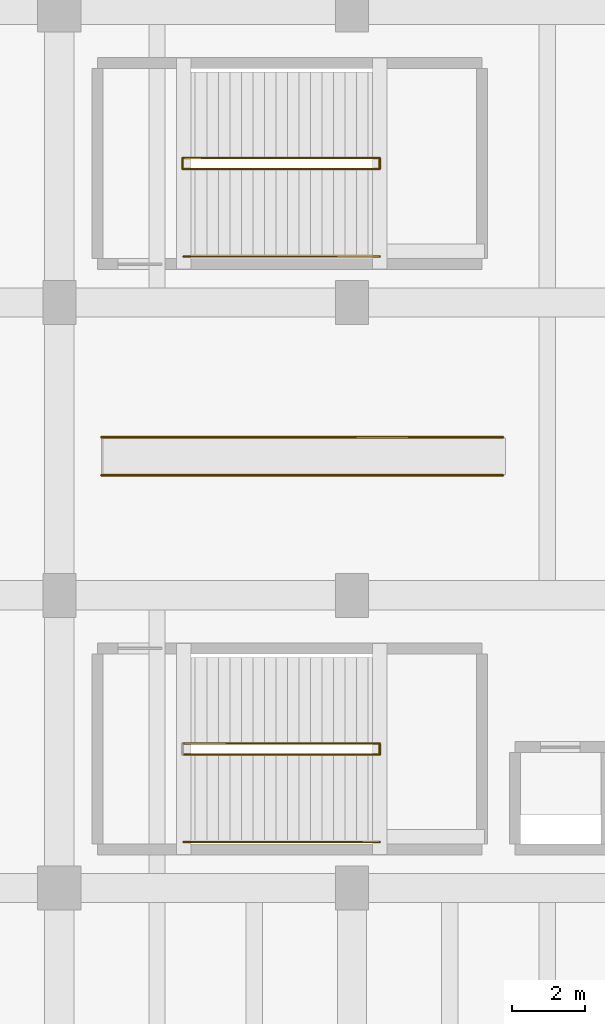
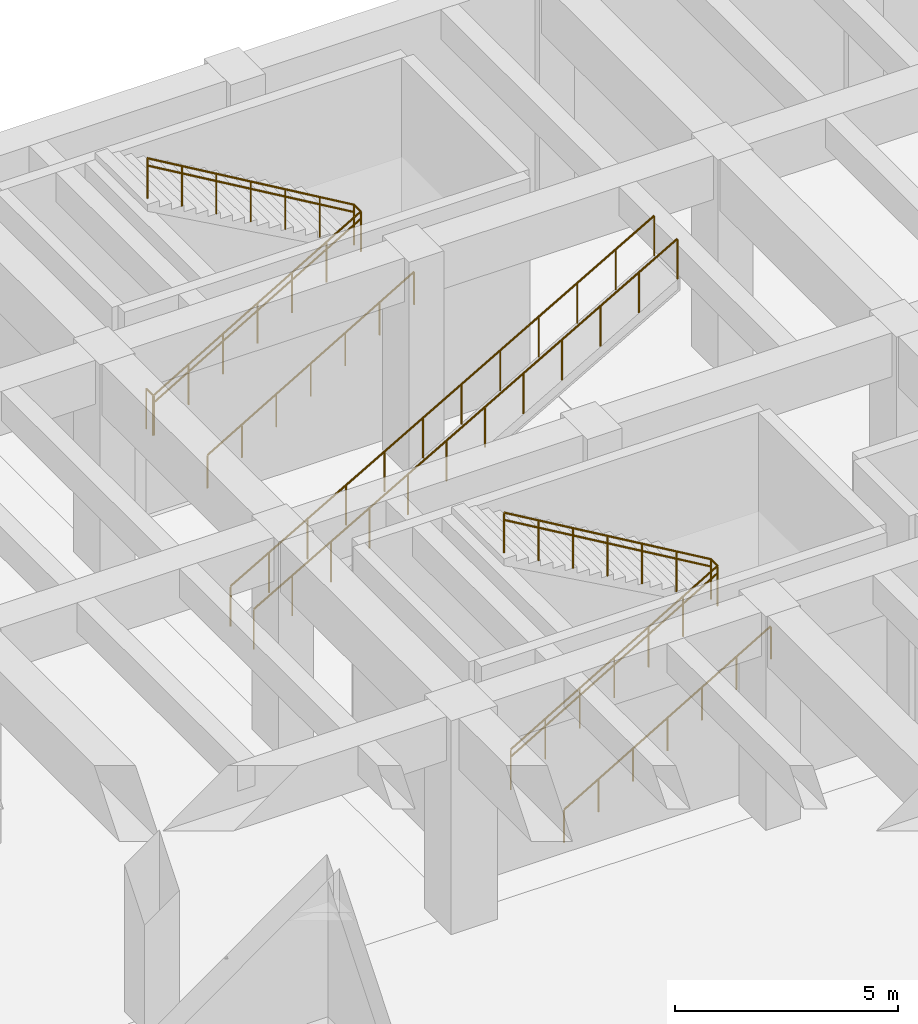
# One storey, part 17 of 24: 13 railings.
"""IFC4 building model written with IfcOpenShell, lengths in metres."""

from ifc_helpers import new_model, si_unit, direction, frame, origin, origin_2d, place, context, subcontext, project, spatial, circle, extrude, material, type_object, element, save


model = new_model("IFC4")

# Units and contexts
model_context = context("Model", 3, precision=1e-05, world=origin(), true_north=direction((0.0, 1.0)))
body_context = subcontext(model_context, "Body", "Model", "MODEL_VIEW")
ifc_project = project(units=[si_unit("LENGTHUNIT", "METRE"), si_unit("AREAUNIT", "SQUARE_METRE"), si_unit("VOLUMEUNIT", "CUBIC_METRE"), si_unit("PLANEANGLEUNIT", "RADIAN"), si_unit("MASSUNIT", "GRAM", prefix="KILO")], contexts=[model_context])

# Site, building, storey
site_placement = place(None, origin())
site = spatial("IfcSite", under=ifc_project, at=site_placement, CompositionType="ELEMENT")
building_placement = place(site_placement, origin())
building = spatial("IfcBuilding", under=site, at=building_placement, Name="Varnela Railside Interchange", CompositionType="ELEMENT")
storey_placement = place(building_placement, frame((0.0, 0.0, -6.300048828125)))
storey = spatial("IfcBuildingStorey", under=building, at=storey_placement, Name="B1", CompositionType="ELEMENT", Elevation=-6.300048828125)

# Railings
ifc_material_1 = material(Name="Glass laminated double", Category="glass")
railing_type_1 = type_object("IfcRailingType", Name="Concourse Atrium Balustrade BL-01", PredefinedType="BALUSTRADE", material=ifc_material_1)
railing_1_placement = place(storey_placement, frame((53.14990234375, 49.280029296875, 0.0)))
element("IfcRailing", 1, at=railing_1_placement, inside=storey, type_object=railing_type_1, Name="Escalator Inclined Balustrade ES4-S (RL-0126)", PredefinedType="BALUSTRADE", context=body_context, shape_type="SweptSolid", body=[
    extrude(circle(Radius=0.02392578125, at=origin_2d()), frame((0.0, 0.0, 1.09619140625), z_axis=(0.867173461285, 0.0, 0.498006212856), x_axis=(0.0, 1.0, 0.0)), (0.0, 0.0, 1.0), 12.650634765625),
    extrude(circle(Radius=0.02099609375, at=origin_2d()), origin(), (0.0, 0.0, 1.0), 1.072021484375),
    extrude(circle(Radius=0.02099609375, at=origin_2d()), frame((0.997314453125, 0.0, 0.57275390625)), (0.0, 0.0, 1.0), 1.072021484375),
    extrude(circle(Radius=0.02099609375, at=origin_2d()), frame((1.99462890625, 0.0, 1.1455078125)), (0.0, 0.0, 1.0), 1.072021484375),
    extrude(circle(Radius=0.02099609375, at=origin_2d()), frame((2.991943359375, 0.0, 1.71826171875)), (0.0, 0.0, 1.0), 1.072021484375),
    extrude(circle(Radius=0.02099609375, at=origin_2d()), frame((3.9892578125, 0.0, 2.291015625)), (0.0, 0.0, 1.0), 1.072021484375),
    extrude(circle(Radius=0.02099609375, at=origin_2d()), frame((4.986572265625, 0.0, 2.86376953125)), (0.0, 0.0, 1.0), 1.072021484375),
    extrude(circle(Radius=0.02099609375, at=origin_2d()), frame((5.983642578125, 0.0, 3.436279296875)), (0.0, 0.0, 1.0), 1.072021484375),
    extrude(circle(Radius=0.02099609375, at=origin_2d()), frame((6.98095703125, 0.0, 4.009033203125)), (0.0, 0.0, 1.0), 1.072021484375),
    extrude(circle(Radius=0.02099609375, at=origin_2d()), frame((7.978271484375, 0.0, 4.581787109375)), (0.0, 0.0, 1.0), 1.072021484375),
    extrude(circle(Radius=0.02099609375, at=origin_2d()), frame((8.9755859375, 0.0, 5.154541015625)), (0.0, 0.0, 1.0), 1.072021484375),
    extrude(circle(Radius=0.02099609375, at=origin_2d()), frame((9.972900390625, 0.0, 5.727294921875)), (0.0, 0.0, 1.0), 1.072021484375),
    extrude(circle(Radius=0.02099609375, at=origin_2d()), frame((10.97021484375, 0.0, 6.300048828125)), (0.0, 0.0, 1.0), 1.072021484375),
])
railing_2_placement = place(storey_placement, frame((53.14990234375, 50.320068359375, 0.0)))
element("IfcRailing", 2, at=railing_2_placement, inside=storey, type_object=railing_type_1, Name="Escalator Inclined Balustrade ES4-N (RL-0125)", PredefinedType="BALUSTRADE", context=body_context, shape_type="SweptSolid", body=[
    extrude(circle(Radius=0.02392578125, at=origin_2d()), frame((0.0, 0.0, 1.09619140625), z_axis=(0.867173461285, 0.0, 0.498006212856), x_axis=(0.0, 1.0, 0.0)), (0.0, 0.0, 1.0), 12.650634765625),
    extrude(circle(Radius=0.02099609375, at=origin_2d()), origin(), (0.0, 0.0, 1.0), 1.072021484375),
    extrude(circle(Radius=0.02099609375, at=origin_2d()), frame((0.997314453125, 0.0, 0.57275390625)), (0.0, 0.0, 1.0), 1.072021484375),
    extrude(circle(Radius=0.02099609375, at=origin_2d()), frame((1.99462890625, 0.0, 1.1455078125)), (0.0, 0.0, 1.0), 1.072021484375),
    extrude(circle(Radius=0.02099609375, at=origin_2d()), frame((2.991943359375, 0.0, 1.71826171875)), (0.0, 0.0, 1.0), 1.072021484375),
    extrude(circle(Radius=0.02099609375, at=origin_2d()), frame((3.9892578125, 0.0, 2.291015625)), (0.0, 0.0, 1.0), 1.072021484375),
    extrude(circle(Radius=0.02099609375, at=origin_2d()), frame((4.986572265625, 0.0, 2.86376953125)), (0.0, 0.0, 1.0), 1.072021484375),
    extrude(circle(Radius=0.02099609375, at=origin_2d()), frame((5.983642578125, 0.0, 3.436279296875)), (0.0, 0.0, 1.0), 1.072021484375),
    extrude(circle(Radius=0.02099609375, at=origin_2d()), frame((6.98095703125, 0.0, 4.009033203125)), (0.0, 0.0, 1.0), 1.072021484375),
    extrude(circle(Radius=0.02099609375, at=origin_2d()), frame((7.978271484375, 0.0, 4.581787109375)), (0.0, 0.0, 1.0), 1.072021484375),
    extrude(circle(Radius=0.02099609375, at=origin_2d()), frame((8.9755859375, 0.0, 5.154541015625)), (0.0, 0.0, 1.0), 1.072021484375),
    extrude(circle(Radius=0.02099609375, at=origin_2d()), frame((9.972900390625, 0.0, 5.727294921875)), (0.0, 0.0, 1.0), 1.072021484375),
    extrude(circle(Radius=0.02099609375, at=origin_2d()), frame((10.97021484375, 0.0, 6.300048828125)), (0.0, 0.0, 1.0), 1.072021484375),
])
ifc_material_2 = material(Name="Steel AR 350 (350 MPa)", Category="steel")
railing_type_2 = type_object("IfcRailingType", Name="Stair & Ramp Pitch Handrail HR-01", PredefinedType="HANDRAIL", material=ifc_material_2)
railing_3_placement = place(storey_placement, frame((55.39990234375, 41.64990234375, 0.0)))
element("IfcRailing", 3, at=railing_3_placement, inside=storey, type_object=railing_type_2, Name="Stair Handrail ST-C1 Flight 1 (RL-0131)", PredefinedType="HANDRAIL", context=body_context, shape_type="SweptSolid", body=[
    extrude(circle(Radius=0.02392578125, at=origin_2d()), frame((0.0, 0.0, 0.89599609375), z_axis=(0.861923102912, 0.0, 0.507039016908), x_axis=(0.0, 1.0, 0.0)), (0.0, 0.0, 1.0), 6.212890625),
    extrude(circle(Radius=0.02099609375, at=origin_2d()), origin(), (0.0, 0.0, 1.0), 0.871826171875),
    extrude(circle(Radius=0.02099609375, at=origin_2d()), frame((0.892578125, 0.0, 0.52490234375)), (0.0, 0.0, 1.0), 0.871826171875),
    extrude(circle(Radius=0.02099609375, at=origin_2d()), frame((1.784912109375, 0.0, 1.050048828125)), (0.0, 0.0, 1.0), 0.871826171875),
    extrude(circle(Radius=0.02099609375, at=origin_2d()), frame((2.677490234375, 0.0, 1.5751953125)), (0.0, 0.0, 1.0), 0.871826171875),
    extrude(circle(Radius=0.02099609375, at=origin_2d()), frame((3.570068359375, 0.0, 2.10009765625)), (0.0, 0.0, 1.0), 0.871826171875),
    extrude(circle(Radius=0.02099609375, at=origin_2d()), frame((4.46240234375, 0.0, 2.625)), (0.0, 0.0, 1.0), 0.871826171875),
    extrude(circle(Radius=0.02099609375, at=origin_2d()), frame((5.35498046875, 0.0, 3.150146484375)), (0.0, 0.0, 1.0), 0.871826171875),
])
railing_4_placement = place(storey_placement, frame((60.7548828125, 41.949951171875, 3.150146484375)))
element("IfcRailing", 4, at=railing_4_placement, inside=storey, type_object=railing_type_2, Name="Stair Handrail ST-C1 Flight 2 (RL-0132)", PredefinedType="HANDRAIL", context=body_context, shape_type="SweptSolid", body=[
    extrude(circle(Radius=0.02392578125, at=origin_2d()), frame((0.0, 0.0, 0.89599609375), z_axis=(-0.861940276329, 0.0, 0.507009822431), x_axis=(0.0, -1.0, 0.0)), (0.0, 0.0, 1.0), 6.212646484375),
    extrude(circle(Radius=0.02099609375, at=origin_2d()), origin(), (0.0, 0.0, 1.0), 0.871826171875),
    extrude(circle(Radius=0.02099609375, at=origin_2d()), frame((-0.892578125, 0.0, 0.52490234375)), (0.0, 0.0, 1.0), 0.871826171875),
    extrude(circle(Radius=0.02099609375, at=origin_2d()), frame((-1.784912109375, 0.0, 1.050048828125)), (0.0, 0.0, 1.0), 0.871826171875),
    extrude(circle(Radius=0.02099609375, at=origin_2d()), frame((-2.677490234375, 0.0, 1.574951171875)), (0.0, 0.0, 1.0), 0.871826171875),
    extrude(circle(Radius=0.02099609375, at=origin_2d()), frame((-3.570068359375, 0.0, 2.099853515625)), (0.0, 0.0, 1.0), 0.871826171875),
    extrude(circle(Radius=0.02099609375, at=origin_2d()), frame((-4.46240234375, 0.0, 2.625)), (0.0, 0.0, 1.0), 0.871826171875),
    extrude(circle(Radius=0.02099609375, at=origin_2d()), frame((-5.35498046875, 0.0, 3.14990234375)), (0.0, 0.0, 1.0), 0.871826171875),
])
railing_5_placement = place(storey_placement, frame((55.39990234375, 57.64990234375, 0.0)))
element("IfcRailing", 5, at=railing_5_placement, inside=storey, type_object=railing_type_2, Name="Stair Handrail ST-C3 Flight 1 (RL-0135)", PredefinedType="HANDRAIL", context=body_context, shape_type="SweptSolid", body=[
    extrude(circle(Radius=0.02392578125, at=origin_2d()), frame((0.0, 0.0, 0.89599609375), z_axis=(0.861923102912, 0.0, 0.507039016908), x_axis=(0.0, 1.0, 0.0)), (0.0, 0.0, 1.0), 6.212890625),
    extrude(circle(Radius=0.02099609375, at=origin_2d()), origin(), (0.0, 0.0, 1.0), 0.871826171875),
    extrude(circle(Radius=0.02099609375, at=origin_2d()), frame((0.892578125, 0.0, 0.52490234375)), (0.0, 0.0, 1.0), 0.871826171875),
    extrude(circle(Radius=0.02099609375, at=origin_2d()), frame((1.784912109375, 0.0, 1.050048828125)), (0.0, 0.0, 1.0), 0.871826171875),
    extrude(circle(Radius=0.02099609375, at=origin_2d()), frame((2.677490234375, 0.0, 1.5751953125)), (0.0, 0.0, 1.0), 0.871826171875),
    extrude(circle(Radius=0.02099609375, at=origin_2d()), frame((3.570068359375, 0.0, 2.10009765625)), (0.0, 0.0, 1.0), 0.871826171875),
    extrude(circle(Radius=0.02099609375, at=origin_2d()), frame((4.46240234375, 0.0, 2.625)), (0.0, 0.0, 1.0), 0.871826171875),
    extrude(circle(Radius=0.02099609375, at=origin_2d()), frame((5.35498046875, 0.0, 3.150146484375)), (0.0, 0.0, 1.0), 0.871826171875),
])
railing_6_placement = place(storey_placement, frame((60.7548828125, 57.949951171875, 3.150146484375)))
element("IfcRailing", 6, at=railing_6_placement, inside=storey, type_object=railing_type_2, Name="Stair Handrail ST-C3 Flight 2 (RL-0136)", PredefinedType="HANDRAIL", context=body_context, shape_type="SweptSolid", body=[
    extrude(circle(Radius=0.02392578125, at=origin_2d()), frame((0.0, 0.0, 0.89599609375), z_axis=(-0.861940276329, 0.0, 0.507009822431), x_axis=(0.0, -1.0, 0.0)), (0.0, 0.0, 1.0), 6.212646484375),
    extrude(circle(Radius=0.02099609375, at=origin_2d()), origin(), (0.0, 0.0, 1.0), 0.871826171875),
    extrude(circle(Radius=0.02099609375, at=origin_2d()), frame((-0.892578125, 0.0, 0.52490234375)), (0.0, 0.0, 1.0), 0.871826171875),
    extrude(circle(Radius=0.02099609375, at=origin_2d()), frame((-1.784912109375, 0.0, 1.050048828125)), (0.0, 0.0, 1.0), 0.871826171875),
    extrude(circle(Radius=0.02099609375, at=origin_2d()), frame((-2.677490234375, 0.0, 1.574951171875)), (0.0, 0.0, 1.0), 0.871826171875),
    extrude(circle(Radius=0.02099609375, at=origin_2d()), frame((-3.570068359375, 0.0, 2.099853515625)), (0.0, 0.0, 1.0), 0.871826171875),
    extrude(circle(Radius=0.02099609375, at=origin_2d()), frame((-4.46240234375, 0.0, 2.625)), (0.0, 0.0, 1.0), 0.871826171875),
    extrude(circle(Radius=0.02099609375, at=origin_2d()), frame((-5.35498046875, 0.0, 3.14990234375)), (0.0, 0.0, 1.0), 0.871826171875),
])
railing_type_3 = type_object("IfcRailingType", Name="Stair Well & Landing Guard GR-02", PredefinedType="GUARDRAIL", material=ifc_material_2)
railing_7_placement = place(storey_placement, frame((55.39990234375, 41.64990234375, 0.0)))
element("IfcRailing", 7, at=railing_7_placement, inside=storey, type_object=railing_type_3, Name="Stair Guard ST-C1 Half-Landing (RL-0080)", PredefinedType="GUARDRAIL", context=body_context, shape_type="SweptSolid", body=[
    extrude(circle(Radius=0.02392578125, at=origin_2d()), frame((0.0, 0.0, 1.09619140625), z_axis=(0.861923102912, 0.0, 0.507039016908), x_axis=(0.0, 1.0, 0.0)), (0.0, 0.0, 1.0), 6.212890625),
    extrude(circle(Radius=0.02392578125, at=origin_2d()), frame((5.35498046875, 0.0, 4.24609375), z_axis=(0.0, 1.0, 0.0), x_axis=(-1.0, 0.0, 0.0)), (0.0, 0.0, 1.0), 0.300048828125),
    extrude(circle(Radius=0.02099609375, at=origin_2d()), origin(), (0.0, 0.0, 1.0), 1.072021484375),
    extrude(circle(Radius=0.02099609375, at=origin_2d()), frame((0.892578125, 0.0, 0.52490234375)), (0.0, 0.0, 1.0), 1.072021484375),
    extrude(circle(Radius=0.02099609375, at=origin_2d()), frame((1.784912109375, 0.0, 1.050048828125)), (0.0, 0.0, 1.0), 1.072021484375),
    extrude(circle(Radius=0.02099609375, at=origin_2d()), frame((2.677490234375, 0.0, 1.5751953125)), (0.0, 0.0, 1.0), 1.072021484375),
    extrude(circle(Radius=0.02099609375, at=origin_2d()), frame((3.570068359375, 0.0, 2.10009765625)), (0.0, 0.0, 1.0), 1.072021484375),
    extrude(circle(Radius=0.02099609375, at=origin_2d()), frame((4.46240234375, 0.0, 2.625)), (0.0, 0.0, 1.0), 1.072021484375),
    extrude(circle(Radius=0.02099609375, at=origin_2d()), frame((5.35498046875, 0.0, 3.150146484375)), (0.0, 0.0, 1.0), 1.072021484375),
    extrude(circle(Radius=0.02099609375, at=origin_2d()), frame((5.35498046875, 0.300048828125, 3.150146484375)), (0.0, 0.0, 1.0), 1.072021484375),
])
railing_8_placement = place(storey_placement, frame((60.7548828125, 41.949951171875, 3.150146484375)))
element("IfcRailing", 8, at=railing_8_placement, inside=storey, type_object=railing_type_3, Name="Stair Guard ST-C1 Upper Flight (RL-0081)", PredefinedType="GUARDRAIL", context=body_context, shape_type="SweptSolid", body=[
    extrude(circle(Radius=0.02392578125, at=origin_2d()), frame((0.0, 0.0, 1.09619140625), z_axis=(-0.861940276329, 0.0, 0.507009822431), x_axis=(0.0, -1.0, 0.0)), (0.0, 0.0, 1.0), 6.212646484375),
    extrude(circle(Radius=0.02099609375, at=origin_2d()), origin(), (0.0, 0.0, 1.0), 1.072021484375),
    extrude(circle(Radius=0.02099609375, at=origin_2d()), frame((-0.892578125, 0.0, 0.52490234375)), (0.0, 0.0, 1.0), 1.072021484375),
    extrude(circle(Radius=0.02099609375, at=origin_2d()), frame((-1.784912109375, 0.0, 1.050048828125)), (0.0, 0.0, 1.0), 1.072021484375),
    extrude(circle(Radius=0.02099609375, at=origin_2d()), frame((-2.677490234375, 0.0, 1.574951171875)), (0.0, 0.0, 1.0), 1.072021484375),
    extrude(circle(Radius=0.02099609375, at=origin_2d()), frame((-3.570068359375, 0.0, 2.099853515625)), (0.0, 0.0, 1.0), 1.072021484375),
    extrude(circle(Radius=0.02099609375, at=origin_2d()), frame((-4.46240234375, 0.0, 2.625)), (0.0, 0.0, 1.0), 1.072021484375),
    extrude(circle(Radius=0.02099609375, at=origin_2d()), frame((-5.35498046875, 0.0, 3.14990234375)), (0.0, 0.0, 1.0), 1.072021484375),
])
railing_9_placement = place(storey_placement, frame((55.3701171875, 57.64990234375, 0.0)))
element("IfcRailing", 9, at=railing_9_placement, inside=storey, type_object=railing_type_3, Name="Stair Well Slot Guard ST-C3 on B1 (RL-0088)", PredefinedType="GUARDRAIL", context=body_context, shape_type="SweptSolid", body=[
    extrude(circle(Radius=0.02392578125, at=origin_2d()), frame((0.0, 0.0, 1.09619140625), z_axis=(0.0, 1.0, 0.0), x_axis=(-1.0, 0.0, 0.0)), (0.0, 0.0, 1.0), 0.300048828125),
    extrude(circle(Radius=0.02099609375, at=origin_2d()), origin(), (0.0, 0.0, 1.0), 1.072021484375),
    extrude(circle(Radius=0.02099609375, at=origin_2d()), frame((0.0, 0.300048828125, 0.0)), (0.0, 0.0, 1.0), 1.072021484375),
])
railing_10_placement = place(storey_placement, frame((55.39990234375, 57.64990234375, 0.0)))
element("IfcRailing", 10, at=railing_10_placement, inside=storey, type_object=railing_type_3, Name="Stair Guard ST-C3 Half-Landing (RL-0086)", PredefinedType="GUARDRAIL", context=body_context, shape_type="SweptSolid", body=[
    extrude(circle(Radius=0.02392578125, at=origin_2d()), frame((0.0, 0.0, 1.09619140625), z_axis=(0.861923102912, 0.0, 0.507039016908), x_axis=(0.0, 1.0, 0.0)), (0.0, 0.0, 1.0), 6.212890625),
    extrude(circle(Radius=0.02392578125, at=origin_2d()), frame((5.35498046875, 0.0, 4.24609375), z_axis=(0.0, 1.0, 0.0), x_axis=(-1.0, 0.0, 0.0)), (0.0, 0.0, 1.0), 0.300048828125),
    extrude(circle(Radius=0.02099609375, at=origin_2d()), origin(), (0.0, 0.0, 1.0), 1.072021484375),
    extrude(circle(Radius=0.02099609375, at=origin_2d()), frame((0.892578125, 0.0, 0.52490234375)), (0.0, 0.0, 1.0), 1.072021484375),
    extrude(circle(Radius=0.02099609375, at=origin_2d()), frame((1.784912109375, 0.0, 1.050048828125)), (0.0, 0.0, 1.0), 1.072021484375),
    extrude(circle(Radius=0.02099609375, at=origin_2d()), frame((2.677490234375, 0.0, 1.5751953125)), (0.0, 0.0, 1.0), 1.072021484375),
    extrude(circle(Radius=0.02099609375, at=origin_2d()), frame((3.570068359375, 0.0, 2.10009765625)), (0.0, 0.0, 1.0), 1.072021484375),
    extrude(circle(Radius=0.02099609375, at=origin_2d()), frame((4.46240234375, 0.0, 2.625)), (0.0, 0.0, 1.0), 1.072021484375),
    extrude(circle(Radius=0.02099609375, at=origin_2d()), frame((5.35498046875, 0.0, 3.150146484375)), (0.0, 0.0, 1.0), 1.072021484375),
    extrude(circle(Radius=0.02099609375, at=origin_2d()), frame((5.35498046875, 0.300048828125, 3.150146484375)), (0.0, 0.0, 1.0), 1.072021484375),
])
railing_11_placement = place(storey_placement, frame((60.7548828125, 57.949951171875, 3.150146484375)))
element("IfcRailing", 11, at=railing_11_placement, inside=storey, type_object=railing_type_3, Name="Stair Guard ST-C3 Upper Flight (RL-0087)", PredefinedType="GUARDRAIL", context=body_context, shape_type="SweptSolid", body=[
    extrude(circle(Radius=0.02392578125, at=origin_2d()), frame((0.0, 0.0, 1.09619140625), z_axis=(-0.861940276329, 0.0, 0.507009822431), x_axis=(0.0, -1.0, 0.0)), (0.0, 0.0, 1.0), 6.212646484375),
    extrude(circle(Radius=0.02099609375, at=origin_2d()), origin(), (0.0, 0.0, 1.0), 1.072021484375),
    extrude(circle(Radius=0.02099609375, at=origin_2d()), frame((-0.892578125, 0.0, 0.52490234375)), (0.0, 0.0, 1.0), 1.072021484375),
    extrude(circle(Radius=0.02099609375, at=origin_2d()), frame((-1.784912109375, 0.0, 1.050048828125)), (0.0, 0.0, 1.0), 1.072021484375),
    extrude(circle(Radius=0.02099609375, at=origin_2d()), frame((-2.677490234375, 0.0, 1.574951171875)), (0.0, 0.0, 1.0), 1.072021484375),
    extrude(circle(Radius=0.02099609375, at=origin_2d()), frame((-3.570068359375, 0.0, 2.099853515625)), (0.0, 0.0, 1.0), 1.072021484375),
    extrude(circle(Radius=0.02099609375, at=origin_2d()), frame((-4.46240234375, 0.0, 2.625)), (0.0, 0.0, 1.0), 1.072021484375),
    extrude(circle(Radius=0.02099609375, at=origin_2d()), frame((-5.35498046875, 0.0, 3.14990234375)), (0.0, 0.0, 1.0), 1.072021484375),
])
railing_type_4 = type_object("IfcRailingType", Name="Wall-Mounted Stair Handrail HR-02", PredefinedType="HANDRAIL", material=ifc_material_2)
for number, where, name in (
    (12, (55.39990234375, 39.260009765625, 0.0), "Wall Handrail ST-C1 Flight 1 (RL-0159)"),
    (13, (55.39990234375, 55.260009765625, 0.0), "Wall Handrail ST-C3 Flight 1 (RL-0161)"),
):
    element("IfcRailing", number, at=place(storey_placement, frame(where)), inside=storey, type_object=railing_type_4, Name=name, PredefinedType="HANDRAIL", context=body_context, shape_type="SweptSolid", body=[
        extrude(circle(Radius=0.02392578125, at=origin_2d()), frame((0.0, 0.0, 0.89599609375), z_axis=(0.861923102912, 0.0, 0.507039016908), x_axis=(0.0, 1.0, 0.0)), (0.0, 0.0, 1.0), 6.212890625),
        extrude(circle(Radius=0.02099609375, at=origin_2d()), origin(), (0.0, 0.0, 1.0), 0.871826171875),
        extrude(circle(Radius=0.02099609375, at=origin_2d()), frame((0.892578125, 0.0, 0.52490234375)), (0.0, 0.0, 1.0), 0.871826171875),
        extrude(circle(Radius=0.02099609375, at=origin_2d()), frame((1.784912109375, 0.0, 1.050048828125)), (0.0, 0.0, 1.0), 0.871826171875),
        extrude(circle(Radius=0.02099609375, at=origin_2d()), frame((2.677490234375, 0.0, 1.5751953125)), (0.0, 0.0, 1.0), 0.871826171875),
        extrude(circle(Radius=0.02099609375, at=origin_2d()), frame((3.570068359375, 0.0, 2.10009765625)), (0.0, 0.0, 1.0), 0.871826171875),
        extrude(circle(Radius=0.02099609375, at=origin_2d()), frame((4.46240234375, 0.0, 2.625)), (0.0, 0.0, 1.0), 0.871826171875),
        extrude(circle(Radius=0.02099609375, at=origin_2d()), frame((5.35498046875, 0.0, 3.150146484375)), (0.0, 0.0, 1.0), 0.871826171875),
    ])

save(model, "model.ifc")
